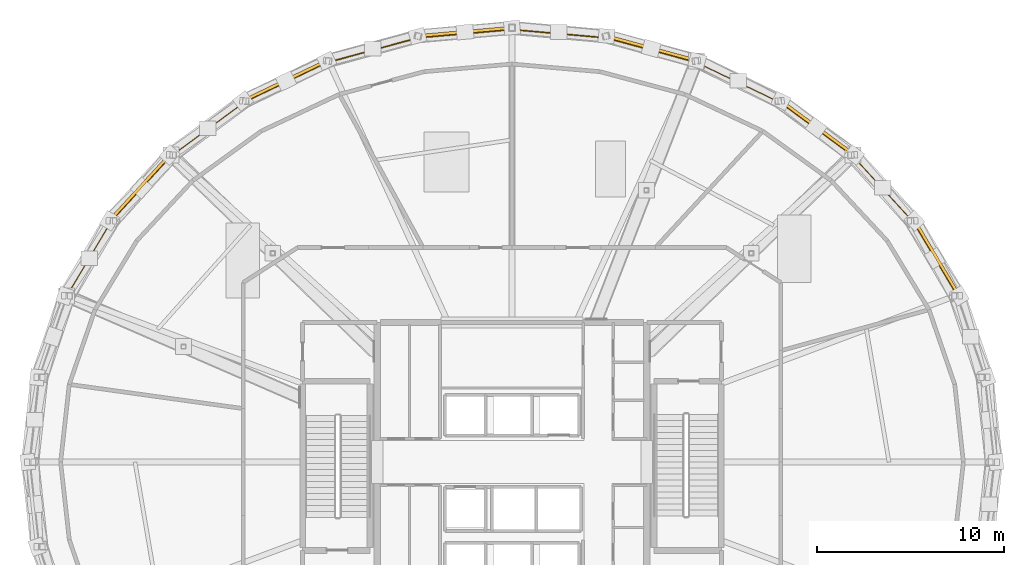
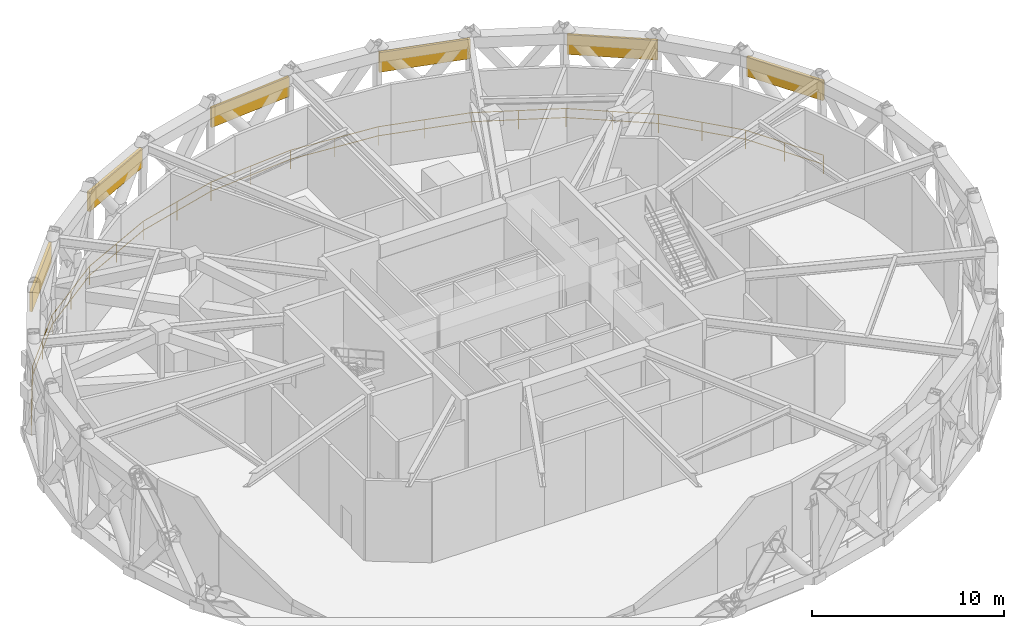
# One storey, part 14 of 15: 6 railings, 6 shading devices.
"""IFC4 building model written with IfcOpenShell, lengths in metres."""

from ifc_helpers import new_model, si_unit, direction, frame, origin, origin_2d, place, context, subcontext, project, spatial, rectangle, circle, extrude, material, layer, layer_set, type_object, element, save


model = new_model("IFC4")

# Units and contexts
model_context = context("Model", 3, precision=1e-05, world=origin(), true_north=direction((0.0, 1.0)))
body_context = subcontext(model_context, "Body", "Model", "MODEL_VIEW")
ifc_project = project(units=[si_unit("LENGTHUNIT", "METRE"), si_unit("AREAUNIT", "SQUARE_METRE"), si_unit("VOLUMEUNIT", "CUBIC_METRE"), si_unit("PLANEANGLEUNIT", "RADIAN"), si_unit("MASSUNIT", "GRAM", prefix="KILO")], contexts=[model_context])

# Site, building, storey
site_placement = place(None, origin())
site = spatial("IfcSite", under=ifc_project, at=site_placement, CompositionType="ELEMENT")
building_placement = place(site_placement, origin())
building = spatial("IfcBuilding", under=site, at=building_placement, Name="Veldorina Hangang Commons", CompositionType="ELEMENT")
storey_placement = place(building_placement, frame((0.0, 0.0, 208.39990234375)))
storey = spatial("IfcBuildingStorey", under=building, at=storey_placement, Name="L54", CompositionType="ELEMENT", Elevation=208.39990234375)

# Shading devices
ifc_material_1 = material(Name="Bronze Perforated Anodized", Category="metal")
ifc_layer = layer(ifc_material_1, 0.159912109375)
ifc_layer_set = layer_set([ifc_layer], Name="Bronze Perforated Anodized")
shading_device_type = type_object("IfcShadingDeviceType", Name="LVR-WND-4800", PredefinedType="JALOUSIE", material=ifc_layer_set)
shading_device_1_placement = place(storey_placement, frame((54.687255859375, 34.87939453125, 4.59521484375), z_axis=(0.0, 0.0, 1.0), x_axis=(-0.511817972151, 0.859093920002, 0.0)))
element("IfcShadingDevice", 1, at=shading_device_1_placement, inside=storey, type_object=shading_device_type, Name="L54 open wind-floor high storm louvre 02", PredefinedType="JALOUSIE", context=body_context, shape_type="SweptSolid", body=[
    extrude(rectangle(XDim=4.547119140625, YDim=0.159912109375, at=origin_2d()), origin(), (0.0, 0.0, 1.0), 1.25),
])
shading_device_2_placement = place(storey_placement, frame((48.319580078125, 41.840576171875, 4.59521484375), z_axis=(0.0, 0.0, 1.0), x_axis=(-0.805266494535, 0.592913039813, 0.0)))
element("IfcShadingDevice", 2, at=shading_device_2_placement, inside=storey, type_object=shading_device_type, Name="L54 open wind-floor high storm louvre 04", PredefinedType="JALOUSIE", context=body_context, shape_type="SweptSolid", body=[
    extrude(rectangle(XDim=4.744384765625, YDim=0.159912109375, at=origin_2d()), origin(), (0.0, 0.0, 1.0), 1.25),
])
shading_device_3_placement = place(storey_placement, frame((39.467529296875, 46.08544921875, 4.59521484375), z_axis=(0.0, 0.0, 1.0), x_axis=(-0.964906584268, 0.262593380791, 0.0)))
element("IfcShadingDevice", 3, at=shading_device_3_placement, inside=storey, type_object=shading_device_type, Name="L54 open wind-floor high storm louvre 06", PredefinedType="JALOUSIE", context=body_context, shape_type="SweptSolid", body=[
    extrude(rectangle(XDim=4.905517578125, YDim=0.159912109375, at=origin_2d()), origin(), (0.0, 0.0, 1.0), 1.25),
])
shading_device_4_placement = place(storey_placement, frame((29.478515625, 46.968017578125, 4.59521484375), z_axis=(0.0, 0.0, 1.0), x_axis=(-0.996118261045, -0.088025053325, 0.0)))
element("IfcShadingDevice", 4, at=shading_device_4_placement, inside=storey, type_object=shading_device_type, Name="L54 open wind-floor high storm louvre 08", PredefinedType="JALOUSIE", context=body_context, shape_type="SweptSolid", body=[
    extrude(rectangle(XDim=4.9423828125, YDim=0.159912109375, at=origin_2d()), origin(), (0.0, 0.0, 1.0), 1.25),
])
shading_device_5_placement = place(storey_placement, frame((19.873291015625, 44.35400390625, 4.59521484375), z_axis=(0.0, 0.0, 1.0), x_axis=(-0.901681645086, -0.432400521409, 0.0)))
element("IfcShadingDevice", 5, at=shading_device_5_placement, inside=storey, type_object=shading_device_type, Name="L54 open wind-floor high storm louvre 10", PredefinedType="JALOUSIE", context=body_context, shape_type="SweptSolid", body=[
    extrude(rectangle(XDim=4.836181640625, YDim=0.159912109375, at=origin_2d()), origin(), (0.0, 0.0, 1.0), 1.25),
])
shading_device_6_placement = place(storey_placement, frame((12.114501953125, 38.641357421875, 4.59521484375), z_axis=(0.0, 0.0, 1.0), x_axis=(-0.674959432699, -0.737854839525, 0.0)))
element("IfcShadingDevice", 6, at=shading_device_6_placement, inside=storey, type_object=shading_device_type, Name="L54 open wind-floor high storm louvre 12", PredefinedType="JALOUSIE", context=body_context, shape_type="SweptSolid", body=[
    extrude(rectangle(XDim=4.642822265625, YDim=0.159912109375, at=origin_2d()), origin(), (0.0, 0.0, 1.0), 1.25),
])

# Railings
ifc_material_2 = material(Name="Stainless Steel Brushed 316", Category="steel")
railing_type = type_object("IfcRailingType", Name="RL-GRD-WIND", PredefinedType="GUARDRAIL", material=ifc_material_2)
railing_1_placement = place(storey_placement, frame((55.787841796875, 32.840087890625, 0.0)))
element("IfcRailing", 7, at=railing_1_placement, inside=storey, type_object=railing_type, Name="L54 wind gallery perimeter safety guard 02", PredefinedType="GUARDRAIL", context=body_context, shape_type="SweptSolid", body=[
    extrude(circle(Radius=0.02392578125, at=origin_2d()), frame((0.0, 0.0, 1.17578125), z_axis=(-0.512161408296, 0.858889219779, 0.0), x_axis=(-0.858889219779, -0.512161408296, 0.0)), (0.0, 0.0, 1.0), 4.648681640625),
    extrude(circle(Radius=0.02392578125, at=origin_2d()), frame((0.0, 0.0, 0.60009765625), z_axis=(-0.512161408296, 0.858889219779, 0.0), x_axis=(-0.858889219779, -0.512161408296, 0.0)), (0.0, 0.0, 1.0), 4.648681640625),
    extrude(circle(Radius=0.02392578125, at=origin_2d()), frame((-2.380859375, 3.99267578125, 1.17578125), z_axis=(-0.675284037491, 0.737557773134, 0.0), x_axis=(-0.737557773134, -0.675284037491, 0.0)), (0.0, 0.0, 1.0), 4.74365234375),
    extrude(circle(Radius=0.02392578125, at=origin_2d()), frame((-2.380859375, 3.99267578125, 0.60009765625), z_axis=(-0.675284037491, 0.737557773134, 0.0), x_axis=(-0.737557773134, -0.675284037491, 0.0)), (0.0, 0.0, 1.0), 4.74365234375),
    extrude(circle(Radius=0.02099609375, at=origin_2d()), origin(), (0.0, 0.0, 1.0), 1.15185546875),
    extrude(circle(Radius=0.02099609375, at=origin_2d()), frame((-1.1904296875, 1.996337890625, 0.0)), (0.0, 0.0, 1.0), 1.15185546875),
    extrude(circle(Radius=0.02099609375, at=origin_2d()), frame((-2.380859375, 3.99267578125, 0.0)), (0.0, 0.0, 1.0), 1.15185546875),
    extrude(circle(Radius=0.02099609375, at=origin_2d()), frame((-3.982421875, 5.7421875, 0.0)), (0.0, 0.0, 1.0), 1.15185546875),
    extrude(circle(Radius=0.02099609375, at=origin_2d()), frame((-5.584228515625, 7.491455078125, 0.0)), (0.0, 0.0, 1.0), 1.15185546875),
])
railing_2_placement = place(storey_placement, frame((50.20361328125, 40.33154296875, 0.0)))
element("IfcRailing", 8, at=railing_2_placement, inside=storey, type_object=railing_type, Name="L54 wind gallery perimeter safety guard 03", PredefinedType="GUARDRAIL", context=body_context, shape_type="SweptSolid", body=[
    extrude(circle(Radius=0.02392578125, at=origin_2d()), frame((0.0, 0.0, 1.17578125), z_axis=(-0.805505265905, 0.592588614976, 0.0), x_axis=(-0.592588614976, -0.805505265905, 0.0)), (0.0, 0.0, 1.0), 4.844482421875),
    extrude(circle(Radius=0.02392578125, at=origin_2d()), frame((0.0, 0.0, 0.60009765625), z_axis=(-0.805505265905, 0.592588614976, 0.0), x_axis=(-0.592588614976, -0.805505265905, 0.0)), (0.0, 0.0, 1.0), 4.844482421875),
    extrude(circle(Radius=0.02392578125, at=origin_2d()), frame((-3.90234375, 2.870849609375, 1.17578125), z_axis=(-0.901857790076, 0.432033015496, 0.0), x_axis=(-0.432033015496, -0.901857790076, 0.0)), (0.0, 0.0, 1.0), 4.935546875),
    extrude(circle(Radius=0.02392578125, at=origin_2d()), frame((-3.90234375, 2.870849609375, 0.60009765625), z_axis=(-0.901857790076, 0.432033015496, 0.0), x_axis=(-0.432033015496, -0.901857790076, 0.0)), (0.0, 0.0, 1.0), 4.935546875),
    extrude(circle(Radius=0.02099609375, at=origin_2d()), origin(), (0.0, 0.0, 1.0), 1.15185546875),
    extrude(circle(Radius=0.02099609375, at=origin_2d()), frame((-1.951171875, 1.435546875, 0.0)), (0.0, 0.0, 1.0), 1.15185546875),
    extrude(circle(Radius=0.02099609375, at=origin_2d()), frame((-3.90234375, 2.870849609375, 0.0)), (0.0, 0.0, 1.0), 1.15185546875),
    extrude(circle(Radius=0.02099609375, at=origin_2d()), frame((-6.1279296875, 3.93701171875, 0.0)), (0.0, 0.0, 1.0), 1.15185546875),
    extrude(circle(Radius=0.02099609375, at=origin_2d()), frame((-8.353515625, 5.003173828125, 0.0)), (0.0, 0.0, 1.0), 1.15185546875),
])
railing_3_placement = place(storey_placement, frame((41.85009765625, 45.334716796875, 0.0)))
element("IfcRailing", 9, at=railing_3_placement, inside=storey, type_object=railing_type, Name="L54 wind gallery perimeter safety guard 04", PredefinedType="GUARDRAIL", context=body_context, shape_type="SweptSolid", body=[
    extrude(circle(Radius=0.02392578125, at=origin_2d()), frame((0.0, 0.0, 1.17578125), z_axis=(-0.964965067549, 0.26237838785, 0.0), x_axis=(-0.26237838785, -0.964965067549, 0.0)), (0.0, 0.0, 1.0), 5.004150390625),
    extrude(circle(Radius=0.02392578125, at=origin_2d()), frame((0.0, 0.0, 0.60009765625), z_axis=(-0.964965067549, 0.26237838785, 0.0), x_axis=(-0.26237838785, -0.964965067549, 0.0)), (0.0, 0.0, 1.0), 5.004150390625),
    extrude(circle(Radius=0.02392578125, at=origin_2d()), frame((-4.828857421875, 1.31298828125, 1.17578125), z_axis=(-0.996128727454, 0.087906531839, 0.0), x_axis=(-0.087906531839, -0.996128727454, 0.0)), (0.0, 0.0, 1.0), 5.040771484375),
    extrude(circle(Radius=0.02392578125, at=origin_2d()), frame((-4.828857421875, 1.31298828125, 0.60009765625), z_axis=(-0.996128727454, 0.087906531839, 0.0), x_axis=(-0.087906531839, -0.996128727454, 0.0)), (0.0, 0.0, 1.0), 5.040771484375),
    extrude(circle(Radius=0.02099609375, at=origin_2d()), origin(), (0.0, 0.0, 1.0), 1.15185546875),
    extrude(circle(Radius=0.02099609375, at=origin_2d()), frame((-2.41455078125, 0.656494140625, 0.0)), (0.0, 0.0, 1.0), 1.15185546875),
    extrude(circle(Radius=0.02099609375, at=origin_2d()), frame((-4.828857421875, 1.31298828125, 0.0)), (0.0, 0.0, 1.0), 1.15185546875),
    extrude(circle(Radius=0.02099609375, at=origin_2d()), frame((-7.33935546875, 1.53466796875, 0.0)), (0.0, 0.0, 1.0), 1.15185546875),
    extrude(circle(Radius=0.02099609375, at=origin_2d()), frame((-9.85009765625, 1.756103515625, 0.0)), (0.0, 0.0, 1.0), 1.15185546875),
])
railing_4_placement = place(storey_placement, frame((32.0, 47.0908203125, 0.0)))
element("IfcRailing", 10, at=railing_4_placement, inside=storey, type_object=railing_type, Name="L54 wind gallery perimeter safety guard 05", PredefinedType="GUARDRAIL", context=body_context, shape_type="SweptSolid", body=[
    extrude(circle(Radius=0.02392578125, at=origin_2d()), frame((0.0, 0.0, 1.17578125), z_axis=(-0.996128727454, -0.087906531839, 0.0), x_axis=(0.087906531839, -0.996128727454, 0.0)), (0.0, 0.0, 1.0), 5.040771484375),
    extrude(circle(Radius=0.02392578125, at=origin_2d()), frame((0.0, 0.0, 0.60009765625), z_axis=(-0.996128727454, -0.087906531839, 0.0), x_axis=(0.087906531839, -0.996128727454, 0.0)), (0.0, 0.0, 1.0), 5.040771484375),
    extrude(circle(Radius=0.02392578125, at=origin_2d()), frame((-5.021240234375, -0.443115234375, 1.17578125), z_axis=(-0.964965067549, -0.26237838785, 0.0), x_axis=(0.26237838785, -0.964965067549, 0.0)), (0.0, 0.0, 1.0), 5.004150390625),
    extrude(circle(Radius=0.02392578125, at=origin_2d()), frame((-5.021240234375, -0.443115234375, 0.60009765625), z_axis=(-0.964965067549, -0.26237838785, 0.0), x_axis=(0.26237838785, -0.964965067549, 0.0)), (0.0, 0.0, 1.0), 5.004150390625),
    extrude(circle(Radius=0.02099609375, at=origin_2d()), origin(), (0.0, 0.0, 1.0), 1.15185546875),
    extrude(circle(Radius=0.02099609375, at=origin_2d()), frame((-2.5107421875, -0.2216796875, 0.0)), (0.0, 0.0, 1.0), 1.15185546875),
    extrude(circle(Radius=0.02099609375, at=origin_2d()), frame((-5.021240234375, -0.443115234375, 0.0)), (0.0, 0.0, 1.0), 1.15185546875),
    extrude(circle(Radius=0.02099609375, at=origin_2d()), frame((-7.435546875, -1.099609375, 0.0)), (0.0, 0.0, 1.0), 1.15185546875),
    extrude(circle(Radius=0.02099609375, at=origin_2d()), frame((-9.85009765625, -1.756103515625, 0.0)), (0.0, 0.0, 1.0), 1.15185546875),
])
railing_5_placement = place(storey_placement, frame((22.14990234375, 45.334716796875, 0.0)))
element("IfcRailing", 11, at=railing_5_placement, inside=storey, type_object=railing_type, Name="L54 wind gallery perimeter safety guard 06", PredefinedType="GUARDRAIL", context=body_context, shape_type="SweptSolid", body=[
    extrude(circle(Radius=0.02392578125, at=origin_2d()), frame((0.0, 0.0, 1.17578125), z_axis=(-0.901857790076, -0.432033015496, 0.0), x_axis=(0.432033015496, -0.901857790076, 0.0)), (0.0, 0.0, 1.0), 4.935546875),
    extrude(circle(Radius=0.02392578125, at=origin_2d()), frame((0.0, 0.0, 0.60009765625), z_axis=(-0.901857790076, -0.432033015496, 0.0), x_axis=(0.432033015496, -0.901857790076, 0.0)), (0.0, 0.0, 1.0), 4.935546875),
    extrude(circle(Radius=0.02392578125, at=origin_2d()), frame((-4.451171875, -2.13232421875, 1.17578125), z_axis=(-0.805505265905, -0.592588614976, 0.0), x_axis=(0.592588614976, -0.805505265905, 0.0)), (0.0, 0.0, 1.0), 4.844482421875),
    extrude(circle(Radius=0.02392578125, at=origin_2d()), frame((-4.451171875, -2.13232421875, 0.60009765625), z_axis=(-0.805505265905, -0.592588614976, 0.0), x_axis=(0.592588614976, -0.805505265905, 0.0)), (0.0, 0.0, 1.0), 4.844482421875),
    extrude(circle(Radius=0.02099609375, at=origin_2d()), origin(), (0.0, 0.0, 1.0), 1.15185546875),
    extrude(circle(Radius=0.02099609375, at=origin_2d()), frame((-2.2255859375, -1.066162109375, 0.0)), (0.0, 0.0, 1.0), 1.15185546875),
    extrude(circle(Radius=0.02099609375, at=origin_2d()), frame((-4.451171875, -2.13232421875, 0.0)), (0.0, 0.0, 1.0), 1.15185546875),
    extrude(circle(Radius=0.02099609375, at=origin_2d()), frame((-6.40234375, -3.56787109375, 0.0)), (0.0, 0.0, 1.0), 1.15185546875),
    extrude(circle(Radius=0.02099609375, at=origin_2d()), frame((-8.353515625, -5.003173828125, 0.0)), (0.0, 0.0, 1.0), 1.15185546875),
])
railing_6_placement = place(storey_placement, frame((13.79638671875, 40.33154296875, 0.0)))
element("IfcRailing", 12, at=railing_6_placement, inside=storey, type_object=railing_type, Name="L54 wind gallery perimeter safety guard 07", PredefinedType="GUARDRAIL", context=body_context, shape_type="SweptSolid", body=[
    extrude(circle(Radius=0.02392578125, at=origin_2d()), frame((0.0, 0.0, 1.17578125), z_axis=(-0.675284037491, -0.737557773134, 0.0), x_axis=(0.737557773134, -0.675284037491, 0.0)), (0.0, 0.0, 1.0), 4.74365234375),
    extrude(circle(Radius=0.02392578125, at=origin_2d()), frame((0.0, 0.0, 0.60009765625), z_axis=(-0.675284037491, -0.737557773134, 0.0), x_axis=(0.737557773134, -0.675284037491, 0.0)), (0.0, 0.0, 1.0), 4.74365234375),
    extrude(circle(Radius=0.02392578125, at=origin_2d()), frame((-3.203369140625, -3.498779296875, 1.17578125), z_axis=(-0.512161408296, -0.858889219779, 0.0), x_axis=(0.858889219779, -0.512161408296, 0.0)), (0.0, 0.0, 1.0), 4.648681640625),
    extrude(circle(Radius=0.02392578125, at=origin_2d()), frame((-3.203369140625, -3.498779296875, 0.60009765625), z_axis=(-0.512161408296, -0.858889219779, 0.0), x_axis=(0.858889219779, -0.512161408296, 0.0)), (0.0, 0.0, 1.0), 4.648681640625),
    extrude(circle(Radius=0.02099609375, at=origin_2d()), origin(), (0.0, 0.0, 1.0), 1.15185546875),
    extrude(circle(Radius=0.02099609375, at=origin_2d()), frame((-1.6015625, -1.74951171875, 0.0)), (0.0, 0.0, 1.0), 1.15185546875),
    extrude(circle(Radius=0.02099609375, at=origin_2d()), frame((-3.203369140625, -3.498779296875, 0.0)), (0.0, 0.0, 1.0), 1.15185546875),
    extrude(circle(Radius=0.02099609375, at=origin_2d()), frame((-4.393798828125, -5.4951171875, 0.0)), (0.0, 0.0, 1.0), 1.15185546875),
    extrude(circle(Radius=0.02099609375, at=origin_2d()), frame((-5.584228515625, -7.491455078125, 0.0)), (0.0, 0.0, 1.0), 1.15185546875),
])

save(model, "model.ifc")
